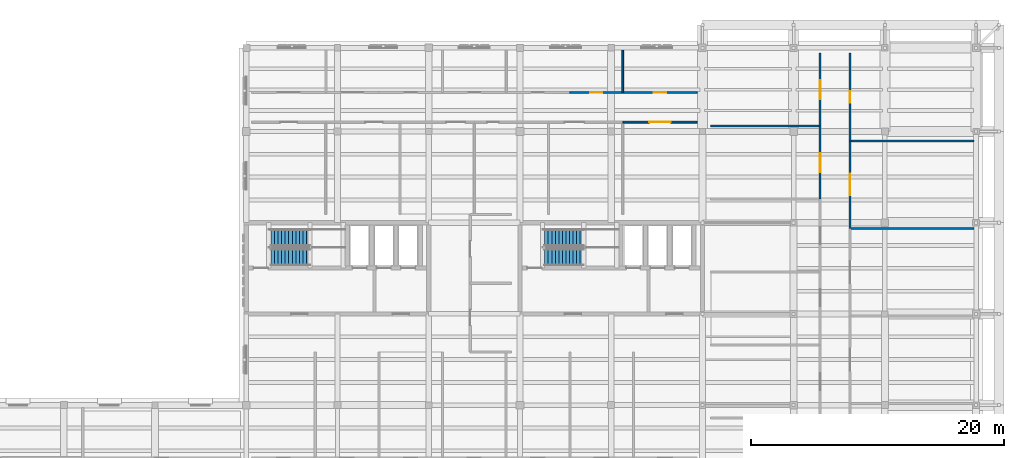
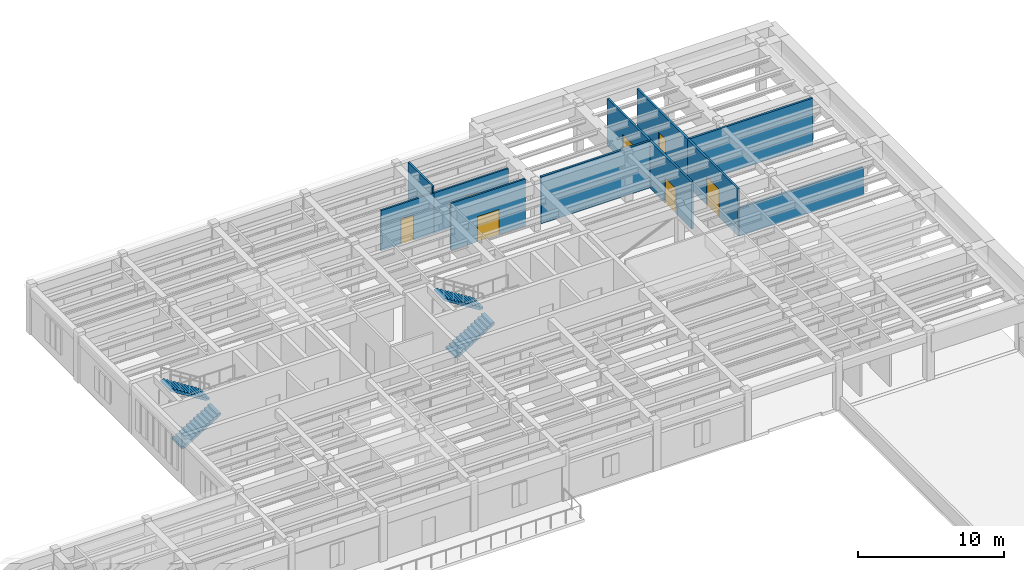
# One storey, part 17 of 22: 11 walls, 7 doors, 4 stair flights, 7 openings, 2 elements without a shape of their own.
"""IFC4 building model written with IfcOpenShell, lengths in metres."""

from ifc_helpers import new_model, si_unit, direction, frame, frame_2d, origin, place, context, subcontext, project, spatial, polyline, rectangle, outline, extrude, material, layer, layer_set, type_object, element, fill, aggregate, save


model = new_model("IFC4")

# Units and contexts
model_context = context("Model", 3, precision=1e-05, world=origin(), true_north=direction((0.0, 1.0)))
body_context = subcontext(model_context, "Body", "Model", "MODEL_VIEW")
ifc_project = project(units=[si_unit("LENGTHUNIT", "METRE"), si_unit("AREAUNIT", "SQUARE_METRE"), si_unit("VOLUMEUNIT", "CUBIC_METRE"), si_unit("PLANEANGLEUNIT", "RADIAN"), si_unit("MASSUNIT", "GRAM", prefix="KILO")], contexts=[model_context])

# Site, building, storey
site_placement = place(None, origin())
site = spatial("IfcSite", under=ifc_project, at=site_placement, CompositionType="ELEMENT")
building_placement = place(site_placement, origin())
building = spatial("IfcBuilding", under=site, at=building_placement, Name="Mithqara Police Headquarters", CompositionType="ELEMENT")
storey_placement = place(building_placement, frame((0.0, 0.0, 22.199951171875)))
storey = spatial("IfcBuildingStorey", under=building, at=storey_placement, Name="L05", CompositionType="ELEMENT", Elevation=22.199951171875)

# Wall, opening, door
ifc_material_1 = material(Name="Gypsum acoustic stud partition", Category="gypsum")
ifc_layer_1 = layer(ifc_material_1, 0.139892578125, Name="Gypsum acoustic stud partition")
ifc_layer_set_1 = layer_set([ifc_layer_1], Name="Gypsum acoustic stud partition")
wall_type_1 = type_object("IfcWallType", Name="PART WALL 140", PredefinedType="PARTITIONING", material=ifc_layer_set_1)
wall_1_placement = place(storey_placement, frame((138.320068359375, 108.139892578125, 0.0), z_axis=(0.0, 0.0, 1.0), x_axis=(1.0, 0.0, 0.0)))
wall_1 = element("IfcWall", 1, at=wall_1_placement, inside=storey, type_object=wall_type_1, Name="L05 Corridor Wall Deputy Commissioner Suite", PredefinedType="PARTITIONING", context=body_context, shape_type="SweptSolid", body=[
    extrude(rectangle(XDim=5.85986328125, YDim=0.139892578125, at=frame_2d((2.929931640625, 0.0))), origin(), (0.0, 0.0, 1.0), 3.920166015625),
])
opening_1_placement = place(wall_1_placement, frame((2.070068359375, 0.0, 0.0)))
opening_1 = element("IfcOpeningElement", 2, at=opening_1_placement, cuts=wall_1, Name="Opening D-22", PredefinedType="OPENING", context=body_context, shape_type="SweptSolid", body=[
    extrude(rectangle(XDim=1.719970703125, YDim=2.10009765625, at=frame_2d((0.85986328125, 1.050048828125))), frame((0.0, 0.080078125, 0.0), z_axis=(0.0, -1.0, 0.0), x_axis=(1.0, 0.0, 0.0)), (0.0, 0.0, 1.0), 0.159912109375),
])
ifc_material_2 = material(Name="Bronze anodised aluminium 6063-T6", Category="aluminium")
door_type_1 = type_object("IfcDoorType", Name="INT DOOR 1720X2100", OperationType="NOTDEFINED", PredefinedType="DOOR", material=ifc_material_2)
door_1_placement = place(opening_1_placement, frame((1.719970703125, 0.0, 0.0), z_axis=(0.0, 0.0, 1.0), x_axis=(-1.0, 0.0, 0.0)))
door_1 = element("IfcDoor", 3, at=door_1_placement, inside=storey, type_object=door_type_1, Name="Deputy Commissioner Suite Entry Door", OperationType="DOUBLE_DOOR_SINGLE_SWING", OverallHeight=2.10009765625, OverallWidth=1.719970703125, PredefinedType="DOOR", context=body_context, shape_type="SweptSolid", body=[
    extrude(rectangle(XDim=1.719970703125, YDim=2.10009765625, at=frame_2d((0.85986328125, 1.050048828125))), frame((0.0, 0.02490234375, 0.0), z_axis=(0.0, -1.0, 0.0), x_axis=(1.0, 0.0, 0.0)), (0.0, 0.0, 1.0), 0.050048828125),
])
fill(opening_1, door_1)

wall_2_placement = place(storey_placement, frame((134.134033203125, 110.47998046875, 0.0), z_axis=(0.0, 0.0, 1.0), x_axis=(1.0, 0.0, 0.0)))
wall_2 = element("IfcWall", 4, at=wall_2_placement, inside=storey, type_object=wall_type_1, Name="L05 Corridor Wall Chief of Staff Office", PredefinedType="PARTITIONING", context=body_context, shape_type="SweptSolid", body=[
    extrude(rectangle(XDim=4.1728515625, YDim=0.139892578125, at=frame_2d((2.08642578125, 0.0))), origin(), (0.0, 0.0, 1.0), 3.3701171875),
])
opening_2_placement = place(wall_2_placement, frame((1.596435546875, 0.0, 0.0)))
opening_2 = element("IfcOpeningElement", 5, at=opening_2_placement, cuts=wall_2, Name="Opening D-04", PredefinedType="OPENING", context=body_context, shape_type="SweptSolid", body=[
    extrude(rectangle(XDim=0.97998046875, YDim=2.10009765625, at=frame_2d((0.489990234375, 1.050048828125))), frame((0.0, 0.080078125, 0.0), z_axis=(0.0, -1.0, 0.0), x_axis=(1.0, 0.0, 0.0)), (0.0, 0.0, 1.0), 0.159912109375),
])
ifc_material_3 = material(Name="Acoustic solid-core timber leaf", Category="wood")
door_type_2 = type_object("IfcDoorType", Name="INT DOOR 980X2100", OperationType="NOTDEFINED", PredefinedType="DOOR", material=ifc_material_3)
door_2_placement = place(opening_2_placement, origin())
door_2 = element("IfcDoor", 6, at=door_2_placement, inside=storey, type_object=door_type_2, Name="Chief of Staff Office Entry Door", OperationType="SINGLE_SWING_LEFT", OverallHeight=2.10009765625, OverallWidth=0.97998046875, PredefinedType="DOOR", context=body_context, shape_type="SweptSolid", body=[
    extrude(rectangle(XDim=0.97998046875, YDim=2.10009765625, at=frame_2d((0.489990234375, 1.050048828125))), frame((0.0, 0.02490234375, 0.0), z_axis=(0.0, -1.0, 0.0), x_axis=(1.0, 0.0, 0.0)), (0.0, 0.0, 1.0), 0.050048828125),
])
fill(opening_2, door_2)

# Wall
wall_3_placement = place(storey_placement, frame((138.306884765625, 110.47998046875, 0.0), z_axis=(0.0, 0.0, 1.0), x_axis=(0.0, 1.0, 0.0)))
element("IfcWall", 7, at=wall_3_placement, inside=storey, type_object=wall_type_1, Name="L05 Room Partition Chief of Staff Office", PredefinedType="PARTITIONING", context=body_context, shape_type="SweptSolid", body=[
    extrude(rectangle(XDim=3.340087890625, YDim=0.139892578125, at=frame_2d((1.669921875, 0.0))), origin(), (0.0, 0.0, 1.0), 3.920166015625),
])

# Wall, opening, door
wall_4_placement = place(storey_placement, frame((138.306884765625, 110.47998046875, 0.0), z_axis=(0.0, 0.0, 1.0), x_axis=(1.0, 0.0, 0.0)))
wall_4 = element("IfcWall", 8, at=wall_4_placement, inside=storey, type_object=wall_type_1, Name="L05 Corridor Wall Police Commissioner Directorate", PredefinedType="PARTITIONING", context=body_context, shape_type="SweptSolid", body=[
    extrude(rectangle(XDim=5.873046875, YDim=0.139892578125, at=frame_2d((2.9365234375, 0.0))), origin(), (0.0, 0.0, 1.0), 3.3701171875),
])
opening_3_placement = place(wall_4_placement, frame((2.446533203125, 0.0, 0.0)))
opening_3 = element("IfcOpeningElement", 9, at=opening_3_placement, cuts=wall_4, Name="Opening D-05", PredefinedType="OPENING", context=body_context, shape_type="SweptSolid", body=[
    extrude(rectangle(XDim=0.97998046875, YDim=2.219970703125, at=frame_2d((0.489990234375, 1.10986328125))), frame((0.0, 0.080078125, 0.0), z_axis=(0.0, -1.0, 0.0), x_axis=(1.0, 0.0, 0.0)), (0.0, 0.0, 1.0), 0.159912109375),
])
door_type_3 = type_object("IfcDoorType", Name="INT DOOR 980X2220", OperationType="NOTDEFINED", PredefinedType="DOOR", material=ifc_material_3)
door_3_placement = place(opening_3_placement, origin())
door_3 = element("IfcDoor", 10, at=door_3_placement, inside=storey, type_object=door_type_3, Name="Police Commissioner Directorate Entry Door", OperationType="SINGLE_SWING_RIGHT", OverallHeight=2.219970703125, OverallWidth=0.97998046875, PredefinedType="DOOR", context=body_context, shape_type="SweptSolid", body=[
    extrude(rectangle(XDim=0.97998046875, YDim=2.219970703125, at=frame_2d((0.489990234375, 1.10986328125))), frame((0.0, 0.02490234375, 0.0), z_axis=(0.0, -1.0, 0.0), x_axis=(1.0, 0.0, 0.0)), (0.0, 0.0, 1.0), 0.050048828125),
])
fill(opening_3, door_3)

ifc_layer_2 = layer(ifc_material_1, 0.159912109375, Name="Gypsum acoustic stud partition")
ifc_layer_set_2 = layer_set([ifc_layer_2], Name="Gypsum acoustic stud partition")
wall_type_2 = type_object("IfcWallType", Name="PART WALL 160", PredefinedType="PARTITIONING", material=ifc_layer_set_2)
wall_5_placement = place(storey_placement, frame((153.89501953125, 102.06005859375, 0.0), z_axis=(0.0, 0.0, 1.0), x_axis=(0.0, 1.0, 0.0)))
wall_5 = element("IfcWall", 11, at=wall_5_placement, inside=storey, type_object=wall_type_2, Name="L05 Corridor Wall Accessible WC", PredefinedType="PARTITIONING", context=body_context, shape_type="SweptSolid", body=[
    extrude(rectangle(XDim=5.760009765625, YDim=0.159912109375, at=frame_2d((2.8798828125, 0.0))), origin(), (0.0, 0.0, 1.0), 3.920166015625),
])
opening_4_placement = place(wall_5_placement, frame((2.1201171875, 0.0, 0.0)))
opening_4 = element("IfcOpeningElement", 12, at=opening_4_placement, cuts=wall_5, Name="Opening D-19", PredefinedType="OPENING", context=body_context, shape_type="SweptSolid", body=[
    extrude(rectangle(XDim=1.52001953125, YDim=2.10009765625, at=frame_2d((0.760009765625, 1.050048828125))), frame((0.0, 0.08984375, 0.0), z_axis=(0.0, -1.0, 0.0), x_axis=(1.0, 0.0, 0.0)), (0.0, 0.0, 1.0), 0.179931640625),
])
door_type_4 = type_object("IfcDoorType", Name="INT DOOR 1520X2100", OperationType="NOTDEFINED", PredefinedType="DOOR", material=ifc_material_2)
door_4_placement = place(opening_4_placement, frame((1.52001953125, 0.0, 0.0), z_axis=(0.0, 0.0, 1.0), x_axis=(-1.0, 0.0, 0.0)))
door_4 = element("IfcDoor", 13, at=door_4_placement, inside=storey, type_object=door_type_4, Name="Accessible WC Entry Door", OperationType="DOUBLE_DOOR_SINGLE_SWING", OverallHeight=2.10009765625, OverallWidth=1.52001953125, PredefinedType="DOOR", context=body_context, shape_type="SweptSolid", body=[
    extrude(rectangle(XDim=1.52001953125, YDim=2.10009765625, at=frame_2d((0.760009765625, 1.050048828125))), frame((0.0, 0.02490234375, 0.0), z_axis=(0.0, -1.0, 0.0), x_axis=(1.0, 0.0, 0.0)), (0.0, 0.0, 1.0), 0.050048828125),
])
fill(opening_4, door_4)

# Wall
wall_6_placement = place(storey_placement, frame((145.25, 107.820068359375, 0.0), z_axis=(0.0, 0.0, 1.0), x_axis=(1.0, 0.0, 0.0)))
element("IfcWall", 14, at=wall_6_placement, inside=storey, type_object=wall_type_2, Name="L05 Room Partition Accessible WC", PredefinedType="PARTITIONING", context=body_context, shape_type="SweptSolid", body=[
    extrude(rectangle(XDim=8.64501953125, YDim=0.159912109375, at=frame_2d((4.322509765625, 0.0))), origin(), (0.0, 0.0, 1.0), 3.920166015625),
])

# Wall, opening, door
wall_7_placement = place(storey_placement, frame((153.89501953125, 107.820068359375, 0.0), z_axis=(0.0, 0.0, 1.0), x_axis=(0.0, 1.0, 0.0)))
wall_7 = element("IfcWall", 15, at=wall_7_placement, inside=storey, type_object=wall_type_2, Name="L05 Corridor Wall Legal Affairs Office", PredefinedType="PARTITIONING", context=body_context, shape_type="SweptSolid", body=[
    extrude(rectangle(XDim=5.760009765625, YDim=0.159912109375, at=frame_2d((2.8798828125, 0.0))), origin(), (0.0, 0.0, 1.0), 3.920166015625),
])
opening_5_placement = place(wall_7_placement, frame((2.1201171875, 0.0, 0.0)))
opening_5 = element("IfcOpeningElement", 16, at=opening_5_placement, cuts=wall_7, Name="Opening D-20", PredefinedType="OPENING", context=body_context, shape_type="SweptSolid", body=[
    extrude(rectangle(XDim=1.52001953125, YDim=2.219970703125, at=frame_2d((0.760009765625, 1.10986328125))), frame((0.0, 0.08984375, 0.0), z_axis=(0.0, -1.0, 0.0), x_axis=(1.0, 0.0, 0.0)), (0.0, 0.0, 1.0), 0.179931640625),
])
door_type_5 = type_object("IfcDoorType", Name="INT DOOR 1520X2220", OperationType="NOTDEFINED", PredefinedType="DOOR", material=ifc_material_2)
door_5_placement = place(opening_5_placement, frame((1.52001953125, 0.0, 0.0), z_axis=(0.0, 0.0, 1.0), x_axis=(-1.0, 0.0, 0.0)))
door_5 = element("IfcDoor", 17, at=door_5_placement, inside=storey, type_object=door_type_5, Name="Legal Affairs Office Entry Door", OperationType="DOUBLE_DOOR_SINGLE_SWING", OverallHeight=2.219970703125, OverallWidth=1.52001953125, PredefinedType="DOOR", context=body_context, shape_type="SweptSolid", body=[
    extrude(rectangle(XDim=1.52001953125, YDim=2.219970703125, at=frame_2d((0.760009765625, 1.10986328125))), frame((0.0, 0.02490234375, 0.0), z_axis=(0.0, -1.0, 0.0), x_axis=(1.0, 0.0, 0.0)), (0.0, 0.0, 1.0), 0.050048828125),
])
fill(opening_5, door_5)

# Wall
wall_8_placement = place(storey_placement, frame((156.235107421875, 99.756103515625, 0.0), z_axis=(0.0, 0.0, 1.0), x_axis=(1.0, 0.0, 0.0)))
element("IfcWall", 18, at=wall_8_placement, inside=storey, type_object=wall_type_2, Name="L05 Room Partition Female Staff WC", PredefinedType="PARTITIONING", context=body_context, shape_type="SweptSolid", body=[
    extrude(rectangle(XDim=9.784912109375, YDim=0.159912109375, at=frame_2d((4.892578125, 0.0))), origin(), (0.0, 0.0, 1.0), 2.3701171875),
])

# Wall, opening, door
wall_9_placement = place(storey_placement, frame((156.235107421875, 99.756103515625, 0.0), z_axis=(0.0, 0.0, 1.0), x_axis=(0.0, 1.0, 0.0)))
wall_9 = element("IfcWall", 19, at=wall_9_placement, inside=storey, type_object=wall_type_2, Name="L05 Corridor Wall Accessible WC", PredefinedType="PARTITIONING", context=body_context, shape_type="SweptSolid", body=[
    extrude(rectangle(XDim=6.911865234375, YDim=0.159912109375, at=frame_2d((3.4560546875, 0.0))), origin(), (0.0, 0.0, 1.0), 3.920166015625),
])
opening_6_placement = place(wall_9_placement, frame((2.595947265625, 0.0, 0.0)))
opening_6 = element("IfcOpeningElement", 20, at=opening_6_placement, cuts=wall_9, Name="Opening D-24", PredefinedType="OPENING", context=body_context, shape_type="SweptSolid", body=[
    extrude(rectangle(XDim=1.719970703125, YDim=2.35009765625, at=frame_2d((0.85986328125, 1.175048828125))), frame((0.0, 0.08984375, 0.0), z_axis=(0.0, -1.0, 0.0), x_axis=(1.0, 0.0, 0.0)), (0.0, 0.0, 1.0), 0.179931640625),
])
door_type_6 = type_object("IfcDoorType", Name="INT DOOR 1720X2350", OperationType="NOTDEFINED", PredefinedType="DOOR", material=ifc_material_2)
door_6_placement = place(opening_6_placement, origin())
door_6 = element("IfcDoor", 21, at=door_6_placement, inside=storey, type_object=door_type_6, Name="Accessible WC Entry Door", OperationType="DOUBLE_DOOR_SINGLE_SWING", OverallHeight=2.35009765625, OverallWidth=1.719970703125, PredefinedType="DOOR", context=body_context, shape_type="SweptSolid", body=[
    extrude(rectangle(XDim=1.719970703125, YDim=2.35009765625, at=frame_2d((0.85986328125, 1.175048828125))), frame((0.0, 0.02490234375, 0.0), z_axis=(0.0, -1.0, 0.0), x_axis=(1.0, 0.0, 0.0)), (0.0, 0.0, 1.0), 0.050048828125),
])
fill(opening_6, door_6)

# Wall
wall_10_placement = place(storey_placement, frame((156.235107421875, 106.66796875, 0.0), z_axis=(0.0, 0.0, 1.0), x_axis=(1.0, 0.0, 0.0)))
element("IfcWall", 22, at=wall_10_placement, inside=storey, type_object=wall_type_2, Name="L05 Room Partition Accessible WC", PredefinedType="PARTITIONING", context=body_context, shape_type="SweptSolid", body=[
    extrude(rectangle(XDim=9.784912109375, YDim=0.159912109375, at=frame_2d((4.892578125, 0.0))), origin(), (0.0, 0.0, 1.0), 3.920166015625),
])

# Wall, opening, door
wall_11_placement = place(storey_placement, frame((156.235107421875, 106.66796875, 0.0), z_axis=(0.0, 0.0, 1.0), x_axis=(0.0, 1.0, 0.0)))
wall_11 = element("IfcWall", 23, at=wall_11_placement, inside=storey, type_object=wall_type_2, Name="L05 Corridor Wall Legal Affairs Office", PredefinedType="PARTITIONING", context=body_context, shape_type="SweptSolid", body=[
    extrude(rectangle(XDim=6.912109375, YDim=0.159912109375, at=frame_2d((3.4560546875, 0.0))), origin(), (0.0, 0.0, 1.0), 3.920166015625),
])
opening_7_placement = place(wall_11_placement, frame((2.99609375, 0.0, 0.0)))
opening_7 = element("IfcOpeningElement", 24, at=opening_7_placement, cuts=wall_11, Name="Opening D-01", PredefinedType="OPENING", context=body_context, shape_type="SweptSolid", body=[
    extrude(rectangle(XDim=0.919921875, YDim=2.10009765625, at=frame_2d((0.4599609375, 1.050048828125))), frame((0.0, 0.08984375, 0.0), z_axis=(0.0, -1.0, 0.0), x_axis=(1.0, 0.0, 0.0)), (0.0, 0.0, 1.0), 0.179931640625),
])
door_type_7 = type_object("IfcDoorType", Name="INT DOOR 920X2100", OperationType="NOTDEFINED", PredefinedType="DOOR", material=ifc_material_3)
door_7_placement = place(opening_7_placement, origin())
door_7 = element("IfcDoor", 25, at=door_7_placement, inside=storey, type_object=door_type_7, Name="Legal Affairs Office Entry Door", OperationType="SINGLE_SWING_RIGHT", OverallHeight=2.10009765625, OverallWidth=0.919921875, PredefinedType="DOOR", context=body_context, shape_type="SweptSolid", body=[
    extrude(rectangle(XDim=0.919921875, YDim=2.10009765625, at=frame_2d((0.4599609375, 1.050048828125))), frame((0.0, 0.02490234375, 0.0), z_axis=(0.0, -1.0, 0.0), x_axis=(1.0, 0.0, 0.0)), (0.0, 0.0, 1.0), 0.050048828125),
])
fill(opening_7, door_7)

# Stair, stair flights
ifc_material_4 = material(Name="Concrete C40/50", Category="concrete")
stair_type_1 = type_object("IfcStairType", Name="STAIR ST 01-R24", PredefinedType="HALF_TURN_STAIR", material=ifc_material_4)
stair_1_placement = place(storey_placement, origin())
stair_1 = element("IfcStair", 26, at=stair_1_placement, inside=storey, type_object=stair_type_1, Name="L05 Core C1 Command West Exit Stair", PredefinedType="HALF_TURN_STAIR")
stair_flight_type_1 = type_object("IfcStairFlightType", Name="STAIR FLIGHT ST 01 F R12", PredefinedType="STRAIGHT", material=ifc_material_4)
stair_flight_1_placement = place(storey_placement, frame((110.550048828125, 97.47509765625, 0.0), z_axis=(0.0, 0.0, 1.0), x_axis=(1.0, 0.0, 0.0)))
stair_flight_1 = element("IfcStairFlight", 27, at=stair_flight_1_placement, type_object=stair_flight_type_1, Name="ST-01 flight 1", NumberOfRisers=12, NumberOfTreads=11, PredefinedType="STRAIGHT", RiserHeight=0.175, TreadLength=0.28, context=body_context, shape_type="SweptSolid", body=[
    extrude(outline(polyline([(0.0, 0.0), (0.0, 0.175048828125), (0.280029296875, 0.175048828125), (0.280029296875, 0.35009765625), (0.56005859375, 0.35009765625), (0.56005859375, 0.52490234375), (0.840087890625, 0.52490234375), (0.840087890625, 0.699951171875), (1.1201171875, 0.699951171875), (1.1201171875, 0.875), (1.39990234375, 0.875), (1.39990234375, 1.050048828125), (1.679931640625, 1.050048828125), (1.679931640625, 1.22509765625), (1.9599609375, 1.22509765625), (1.9599609375, 1.39990234375), (2.239990234375, 1.39990234375), (2.239990234375, 1.574951171875), (2.52001953125, 1.574951171875), (2.52001953125, 1.75), (2.800048828125, 1.75), (2.800048828125, 1.925048828125), (3.080078125, 1.925048828125), (3.080078125, 2.10009765625), (3.080078125, 1.748291015625), (0.28271484375, 0.0), (0.0, 0.0)])), frame((0.0, 0.675048828125, 0.0), z_axis=(0.0, -1.0, 0.0), x_axis=(1.0, 0.0, 0.0)), (0.0, 0.0, 1.0), 1.35009765625),
])
stair_flight_2_placement = place(storey_placement, frame((113.6298828125, 99.02490234375, 2.10009765625), z_axis=(0.0, 0.0, 1.0), x_axis=(-1.0, 0.0, 0.0)))
stair_flight_2 = element("IfcStairFlight", 28, at=stair_flight_2_placement, type_object=stair_flight_type_1, Name="ST-01 flight 2", NumberOfRisers=12, NumberOfTreads=11, PredefinedType="STRAIGHT", RiserHeight=0.175, TreadLength=0.28, context=body_context, shape_type="SweptSolid", body=[
    extrude(outline(polyline([(0.0, 0.0), (0.0, 0.175048828125), (0.280029296875, 0.175048828125), (0.280029296875, 0.35009765625), (0.56005859375, 0.35009765625), (0.56005859375, 0.52490234375), (0.840087890625, 0.52490234375), (0.840087890625, 0.699951171875), (1.1201171875, 0.699951171875), (1.1201171875, 0.875), (1.39990234375, 0.875), (1.39990234375, 1.050048828125), (1.679931640625, 1.050048828125), (1.679931640625, 1.22509765625), (1.9599609375, 1.22509765625), (1.9599609375, 1.39990234375), (2.239990234375, 1.39990234375), (2.239990234375, 1.574951171875), (2.52001953125, 1.574951171875), (2.52001953125, 1.75), (2.800048828125, 1.75), (2.800048828125, 1.925048828125), (3.080078125, 1.925048828125), (3.080078125, 2.10009765625), (3.080078125, 1.748291015625), (0.28271484375, 0.0), (0.0, 0.0)])), frame((0.0, 0.675048828125, 0.0), z_axis=(0.0, -1.0, 0.0), x_axis=(1.0, 0.0, 0.0)), (0.0, 0.0, 1.0), 1.35009765625),
])
aggregate(stair_1, [stair_flight_1, stair_flight_2])

stair_type_2 = type_object("IfcStairType", Name="STAIR ST 02-R24", PredefinedType="HALF_TURN_STAIR", material=ifc_material_4)
stair_2_placement = place(storey_placement, origin())
stair_2 = element("IfcStair", 29, at=stair_2_placement, inside=storey, type_object=stair_type_2, Name="L05 Core C2 Command East Exit Stair", PredefinedType="HALF_TURN_STAIR")
stair_flight_type_2 = type_object("IfcStairFlightType", Name="STAIR FLIGHT ST 02 F R12", PredefinedType="STRAIGHT", material=ifc_material_4)
stair_flight_3_placement = place(storey_placement, frame((132.14990234375, 97.47509765625, 0.0), z_axis=(0.0, 0.0, 1.0), x_axis=(1.0, 0.0, 0.0)))
stair_flight_3 = element("IfcStairFlight", 30, at=stair_flight_3_placement, type_object=stair_flight_type_2, Name="ST-02 flight 1", NumberOfRisers=12, NumberOfTreads=11, PredefinedType="STRAIGHT", RiserHeight=0.175, TreadLength=0.28, context=body_context, shape_type="SweptSolid", body=[
    extrude(outline(polyline([(0.0, 0.0), (0.0, 0.175048828125), (0.280029296875, 0.175048828125), (0.280029296875, 0.35009765625), (0.56005859375, 0.35009765625), (0.56005859375, 0.52490234375), (0.840087890625, 0.52490234375), (0.840087890625, 0.699951171875), (1.1201171875, 0.699951171875), (1.1201171875, 0.875), (1.39990234375, 0.875), (1.39990234375, 1.050048828125), (1.679931640625, 1.050048828125), (1.679931640625, 1.22509765625), (1.9599609375, 1.22509765625), (1.9599609375, 1.39990234375), (2.239990234375, 1.39990234375), (2.239990234375, 1.574951171875), (2.52001953125, 1.574951171875), (2.52001953125, 1.75), (2.800048828125, 1.75), (2.800048828125, 1.925048828125), (3.080078125, 1.925048828125), (3.080078125, 2.10009765625), (3.080078125, 1.748291015625), (0.28271484375, 0.0), (0.0, 0.0)])), frame((0.0, 0.675048828125, 0.0), z_axis=(0.0, -1.0, 0.0), x_axis=(1.0, 0.0, 0.0)), (0.0, 0.0, 1.0), 1.35009765625),
])
stair_flight_4_placement = place(storey_placement, frame((135.22998046875, 99.02490234375, 2.10009765625), z_axis=(0.0, 0.0, 1.0), x_axis=(-1.0, 0.0, 0.0)))
stair_flight_4 = element("IfcStairFlight", 31, at=stair_flight_4_placement, type_object=stair_flight_type_2, Name="ST-02 flight 2", NumberOfRisers=12, NumberOfTreads=11, PredefinedType="STRAIGHT", RiserHeight=0.175, TreadLength=0.28, context=body_context, shape_type="SweptSolid", body=[
    extrude(outline(polyline([(0.0, 0.0), (0.0, 0.175048828125), (0.280029296875, 0.175048828125), (0.280029296875, 0.35009765625), (0.56005859375, 0.35009765625), (0.56005859375, 0.52490234375), (0.840087890625, 0.52490234375), (0.840087890625, 0.699951171875), (1.1201171875, 0.699951171875), (1.1201171875, 0.875), (1.39990234375, 0.875), (1.39990234375, 1.050048828125), (1.679931640625, 1.050048828125), (1.679931640625, 1.22509765625), (1.9599609375, 1.22509765625), (1.9599609375, 1.39990234375), (2.239990234375, 1.39990234375), (2.239990234375, 1.574951171875), (2.52001953125, 1.574951171875), (2.52001953125, 1.75), (2.800048828125, 1.75), (2.800048828125, 1.925048828125), (3.080078125, 1.925048828125), (3.080078125, 2.10009765625), (3.080078125, 1.748291015625), (0.28271484375, 0.0), (0.0, 0.0)])), frame((0.0, 0.675048828125, 0.0), z_axis=(0.0, -1.0, 0.0), x_axis=(1.0, 0.0, 0.0)), (0.0, 0.0, 1.0), 1.35009765625),
])
aggregate(stair_2, [stair_flight_3, stair_flight_4])

save(model, "model.ifc")
